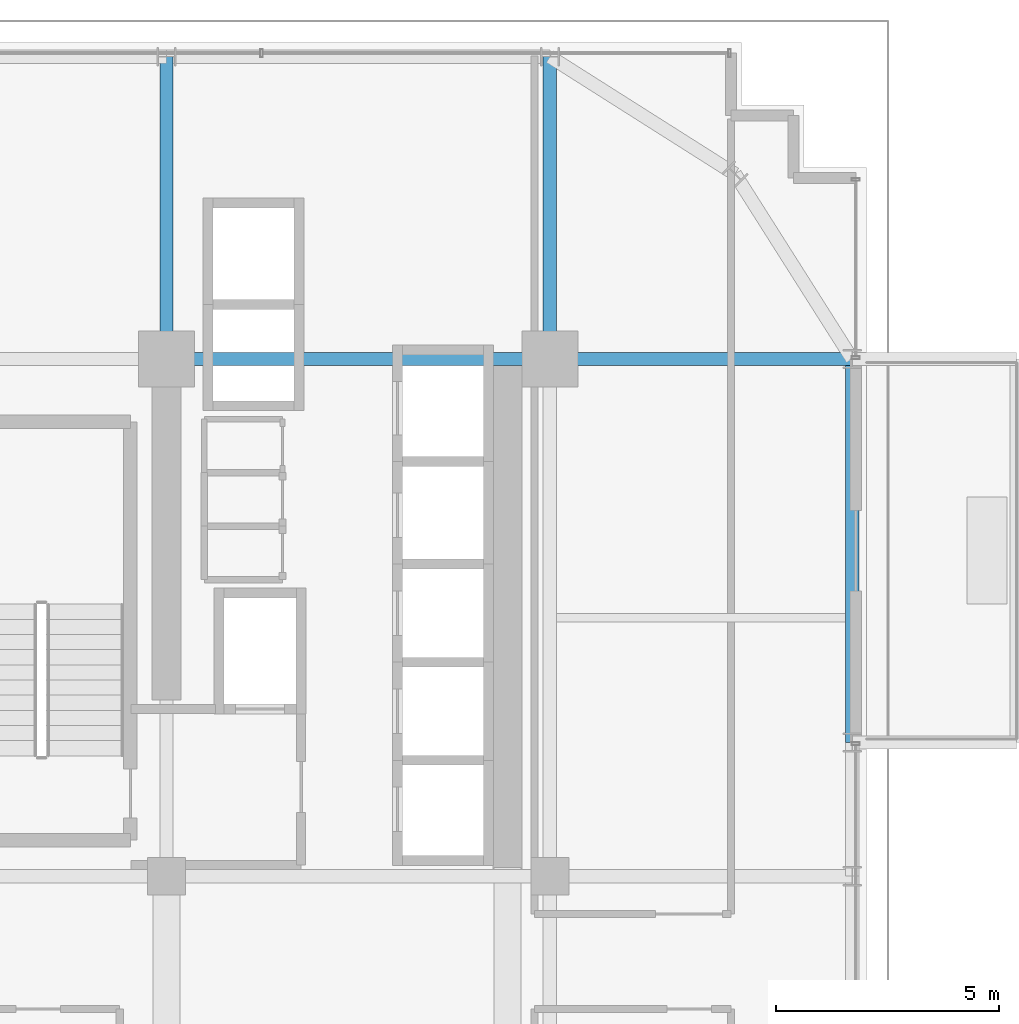
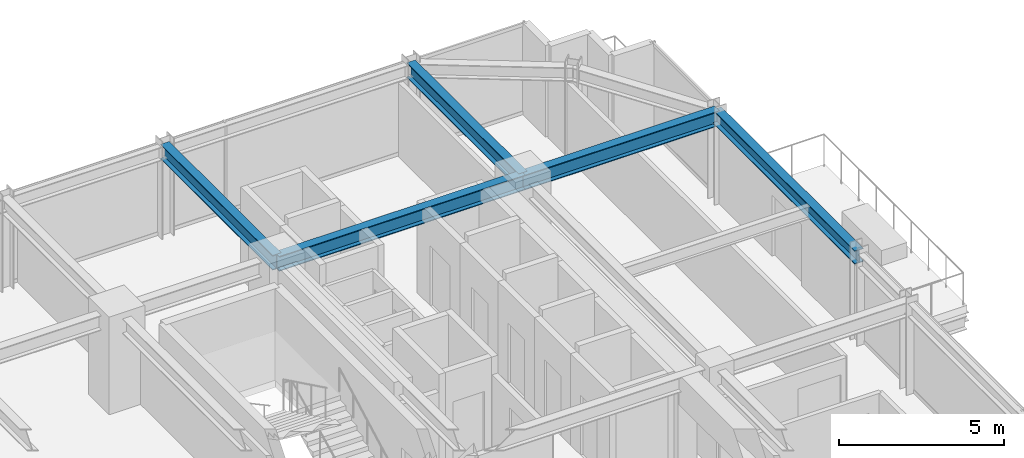
# One storey, part 23 of 34: 5 beams.
"""IFC4 building model written with IfcOpenShell, lengths in metres."""

from ifc_helpers import new_model, si_unit, direction, frame, origin, origin_2d, place, context, subcontext, project, spatial, i_section, extrude, source, transform, mapped, material, material_profile, profile_set, type_object, element, save


model = new_model("IFC4")

# Units and contexts
model_context = context("Model", 3, precision=1e-05, world=origin(), true_north=direction((0.0, 1.0)))
body_context = subcontext(model_context, "Body", "Model", "MODEL_VIEW")
ifc_project = project(units=[si_unit("LENGTHUNIT", "METRE"), si_unit("AREAUNIT", "SQUARE_METRE"), si_unit("VOLUMEUNIT", "CUBIC_METRE"), si_unit("PLANEANGLEUNIT", "RADIAN"), si_unit("MASSUNIT", "GRAM", prefix="KILO")], contexts=[model_context])

# Site, building, storey
site_placement = place(None, origin())
site = spatial("IfcSite", under=ifc_project, at=site_placement, CompositionType="ELEMENT")
building_placement = place(site_placement, origin())
building = spatial("IfcBuilding", under=site, at=building_placement, Name="Nahalor Promenade Grand Hotel", CompositionType="ELEMENT")
storey_placement = place(building_placement, frame((0.0, 0.0, 88.300048828125)))
storey = spatial("IfcBuildingStorey", under=building, at=storey_placement, Name="L21", CompositionType="ELEMENT", Elevation=88.300048828125)

# Beams
ifc_material = material(Name="Steel S355JR", Category="steel")
ifc_material_profile_1 = material_profile(ifc_material, i_section(OverallWidth=0.3, OverallDepth=0.5, WebThickness=0.0145, FlangeThickness=0.028, at=origin_2d()), Name="HEB 500")
ifc_profile_set_1 = profile_set([ifc_material_profile_1], Name="Steel S355JR")
beam_type_1 = type_object("IfcBeamType", Name="Beam-Spandrel-HEB500", PredefinedType="SPANDREL", material=ifc_profile_set_1)
shared_shape_1 = source(origin(), body_context, "Body", "SweptSolid", [
    extrude(i_section(OverallWidth=0.3, OverallDepth=0.5, WebThickness=0.0145, FlangeThickness=0.028, at=origin_2d()), origin(), (0.0, 0.0, 1.0), 8.60009765625),
])
beam_1_placement = place(storey_placement, frame((23.780029296875, 8.39990234375, 3.1298828125), z_axis=(0.0, 1.0, 0.0), x_axis=(-1.0, 0.0, 0.0)))
element("IfcBeam", 1, at=beam_1_placement, inside=storey, type_object=beam_type_1, Name="BM-L21-SP-E-4", PredefinedType="SPANDREL", context=body_context, shape_type="MappedRepresentation", body=[
    mapped(shared_shape_1, transform((0.0, 0.0, 0.0), scale=1.0)),
])
ifc_material_profile_2 = material_profile(ifc_material, i_section(OverallWidth=0.3, OverallDepth=0.55, WebThickness=0.015, FlangeThickness=0.029, at=origin_2d()), Name="HEB 550")
ifc_profile_set_2 = profile_set([ifc_material_profile_2], Name="Steel S355JR")
beam_type_2 = type_object("IfcBeamType", Name="Beam-Girder-HEB550", PredefinedType="BEAM", material=ifc_profile_set_2)
shared_shape_2 = source(origin(), body_context, "Body", "SweptSolid", [
    extrude(i_section(OverallWidth=0.3, OverallDepth=0.55, WebThickness=0.015, FlangeThickness=0.029, at=origin_2d()), origin(), (0.0, 0.0, 1.0), 6.780029296875),
])
for number, where, z_axis, x_axis, name in (
    (2, (17.0, 17.0, 3.10498046875), (1.0, 0.0, 0.0), (0.0, 1.0, 0.0), "BM-L21-GX-3-6"),
    (3, (8.39990234375, 17.0, 3.10498046875), (0.0, 1.0, 0.0), (-1.0, 0.0, 0.0), "BM-L21-GY-4-4"),
    (4, (17.0, 17.0, 3.10498046875), (0.0, 1.0, 0.0), (-1.0, 0.0, 0.0), "BM-L21-GY-5-4"),
):
    element("IfcBeam", number, at=place(storey_placement, frame(where, z_axis=z_axis, x_axis=x_axis)), inside=storey, type_object=beam_type_2, Name=name, PredefinedType="BEAM", context=body_context, shape_type="MappedRepresentation", body=[
        mapped(shared_shape_2, transform((0.0, 0.0, 0.0), scale=1.0)),
    ])
shared_shape_3 = source(origin(), body_context, "Body", "SweptSolid", [
    extrude(i_section(OverallWidth=0.3, OverallDepth=0.55, WebThickness=0.015, FlangeThickness=0.029, at=origin_2d()), origin(), (0.0, 0.0, 1.0), 8.60009765625),
])
beam_2_placement = place(storey_placement, frame((8.39990234375, 17.0, 3.10498046875), z_axis=(1.0, 0.0, 0.0), x_axis=(0.0, 1.0, 0.0)))
element("IfcBeam", 5, at=beam_2_placement, inside=storey, type_object=beam_type_2, Name="BM-L21-GX-3-5", PredefinedType="BEAM", context=body_context, shape_type="MappedRepresentation", body=[
    mapped(shared_shape_3, transform((0.0, 0.0, 0.0), scale=1.0)),
])

save(model, "model.ifc")
